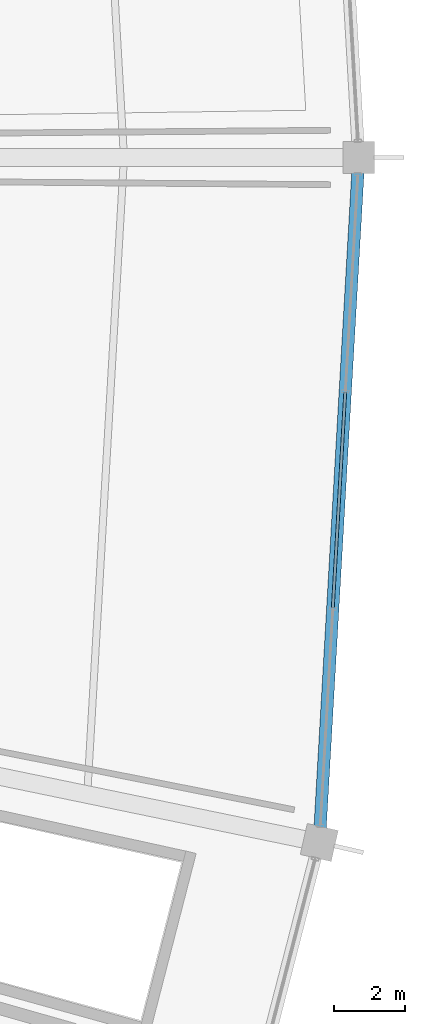
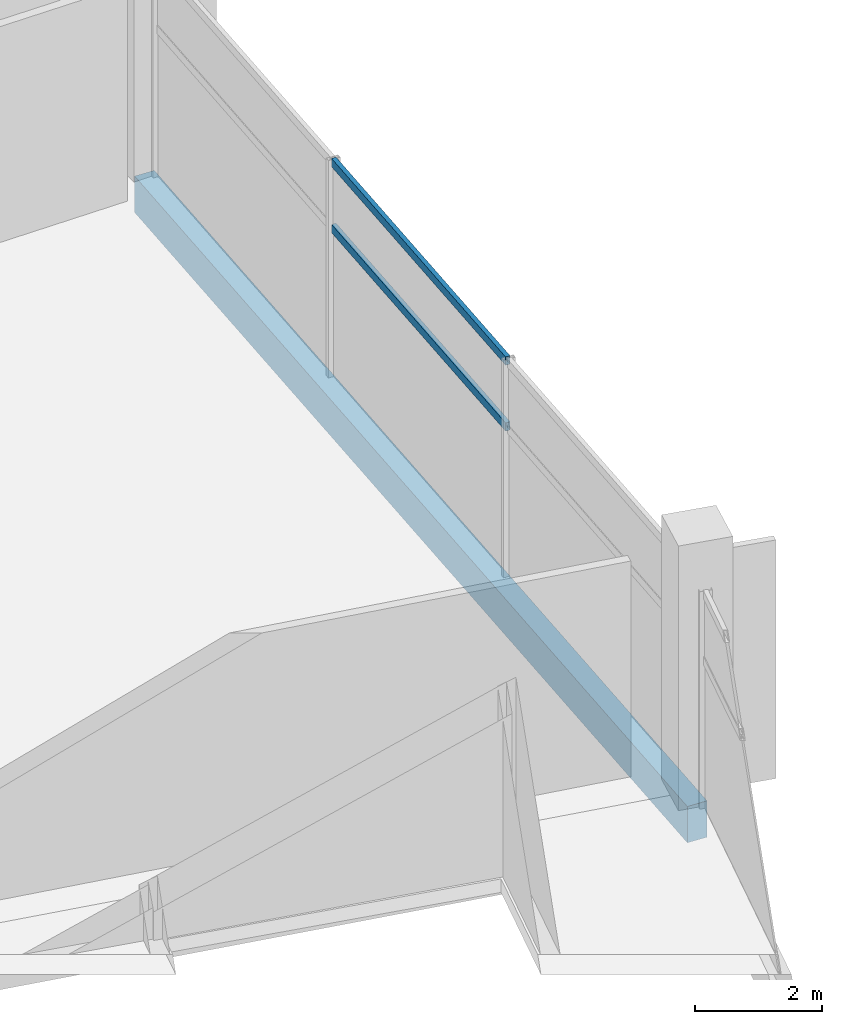
# One storey, part 87 of 184: 2 members, 1 beam, 1 element without a shape of its own.
"""IFC4 building model written with IfcOpenShell, lengths in metres."""

from ifc_helpers import new_model, si_unit, direction, frame, origin, origin_2d, place, context, subcontext, project, spatial, rectangle, hollow_rectangle, extrude, material, layer, layer_set, material_profile, profile_set, type_object, element, aggregate, save


model = new_model("IFC4")

# Units and contexts
model_context = context("Model", 3, precision=1e-05, world=origin(), true_north=direction((0.0, 1.0)))
body_context = subcontext(model_context, "Body", "Model", "MODEL_VIEW")
ifc_project = project(units=[si_unit("LENGTHUNIT", "METRE"), si_unit("AREAUNIT", "SQUARE_METRE"), si_unit("VOLUMEUNIT", "CUBIC_METRE"), si_unit("PLANEANGLEUNIT", "RADIAN"), si_unit("MASSUNIT", "GRAM", prefix="KILO")], contexts=[model_context])

# Site, building, storey
site_placement = place(None, origin())
site = spatial("IfcSite", under=ifc_project, at=site_placement, CompositionType="ELEMENT")
building_placement = place(site_placement, origin())
building = spatial("IfcBuilding", under=site, at=building_placement, Name="Kazemori Nagisa Stadium", CompositionType="ELEMENT")
storey_placement = place(building_placement, frame((0.0, 0.0, 10.5400390625)))
storey = spatial("IfcBuildingStorey", under=building, at=storey_placement, Name="L02", CompositionType="ELEMENT", Elevation=10.5400390625)

# Beam
ifc_material_1 = material(Name="Concrete C40/50 (Fc42)", Category="concrete")
ifc_material_profile_1 = material_profile(ifc_material_1, rectangle(XDim=0.35009765625, YDim=0.699951171875, at=origin_2d()), Name="RC-SP-350x700")
ifc_profile_set_1 = profile_set([ifc_material_profile_1], Name="Concrete C40/50 (Fc42)")
beam_type = type_object("IfcBeamType", Name="Beam_BS-RC350X700", PredefinedType="SPANDREL", material=ifc_profile_set_1)
beam_placement = place(storey_placement, frame((216.880859375, 82.602294921875, -0.610107421875), z_axis=(0.057598702622, 0.998339816624, 0.0), x_axis=(-0.998339816624, 0.057598702622, 0.0)))
element("IfcBeam", 1, at=beam_placement, inside=storey, type_object=beam_type, Name="Ring girder BS-RC350X700 L02 R3-28", PredefinedType="SPANDREL", context=body_context, shape_type="SweptSolid", body=[
    extrude(rectangle(XDim=0.35009765625, YDim=0.699951171875, at=origin_2d()), origin(), (0.0, 0.0, 1.0), 19.429931640625),
])

# Curtain wall, members
ifc_material_2 = material(Name="Anodised aluminium 6063-T5", Category="aluminium")
ifc_layer = layer(ifc_material_2, 0.2099609375, Name="Anodised aluminium 6063-T5", Category="aluminium")
ifc_layer_set = layer_set([ifc_layer], Name="Anodised aluminium 6063-T5")
curtain_wall_type = type_object("IfcCurtainWallType", Name="CW_L02R3_93", PredefinedType="USERDEFINED", material=ifc_layer_set)
curtain_wall_placement = place(storey_placement, origin())
curtain_wall = element("IfcCurtainWall", 2, at=curtain_wall_placement, inside=storey, type_object=curtain_wall_type, Name="Unitised curtain wall CW-L02R3-93 L02", ObjectType="UNITISED CURTAIN WALL", PredefinedType="USERDEFINED")
ifc_material_3 = material(Name="Aluminium 6063-T5 anodised", Category="aluminium")
ifc_material_profile_2 = material_profile(ifc_material_3, hollow_rectangle(XDim=0.080078125, YDim=0.159912109375, WallThickness=0.00390625, at=origin_2d()), Name="ALU-TRAN-80x160x4")
ifc_profile_set_2 = profile_set([ifc_material_profile_2], Name="Aluminium 6063-T5 anodised")
member_type = type_object("IfcMemberType", Name="Transom_T02", PredefinedType="USERDEFINED", material=ifc_profile_set_2)
member_1_placement = place(storey_placement, frame((217.26416015625, 89.246337890625, 2.84912109375), z_axis=(0.057606475429, 0.998339368145, 0.0), x_axis=(-0.998339368145, 0.057606475429, 0.0)))
member_1 = element("IfcMember", 3, at=member_1_placement, type_object=member_type, Name="Curtain wall transom CW-L02R3-93-T2-mid", ObjectType="TRANSOM", PredefinedType="USERDEFINED", context=body_context, shape_type="SweptSolid", body=[
    extrude(hollow_rectangle(XDim=0.080078125, YDim=0.159912109375, WallThickness=0.00390625, at=origin_2d()), origin(), (0.0, 0.0, 1.0), 6.119873046875),
])
member_2_placement = place(storey_placement, frame((217.26416015625, 89.246337890625, 4.119873046875), z_axis=(0.057606475429, 0.998339368145, 0.0), x_axis=(-0.998339368145, 0.057606475429, 0.0)))
member_2 = element("IfcMember", 4, at=member_2_placement, type_object=member_type, Name="Curtain wall transom CW-L02R3-93-T2-head", ObjectType="TRANSOM", PredefinedType="USERDEFINED", context=body_context, shape_type="SweptSolid", body=[
    extrude(hollow_rectangle(XDim=0.080078125, YDim=0.159912109375, WallThickness=0.00390625, at=origin_2d()), origin(), (0.0, 0.0, 1.0), 6.119873046875),
])
aggregate(curtain_wall, [member_1, member_2])

save(model, "model.ifc")
